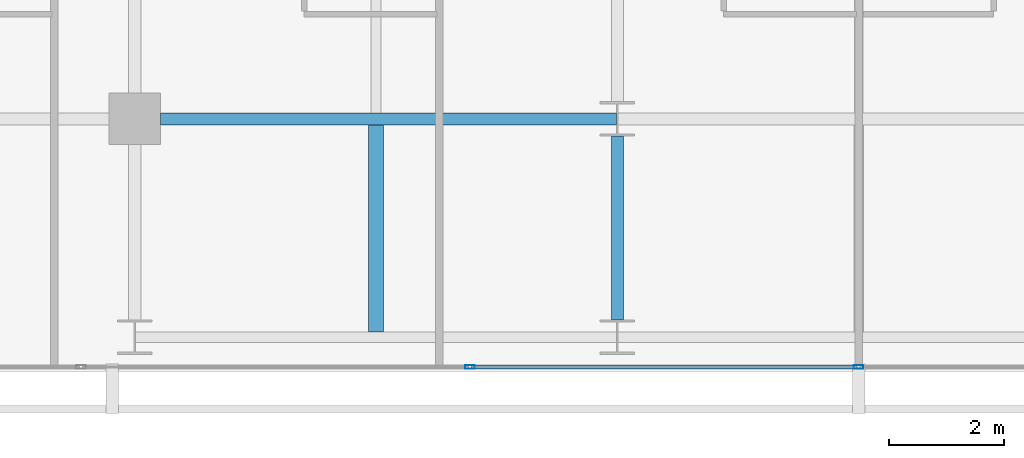
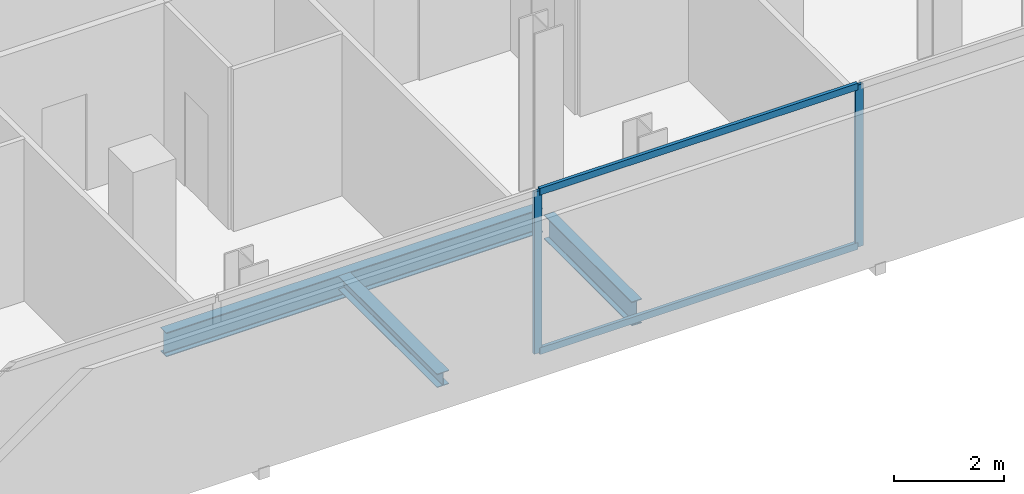
# One storey, part 6 of 33: 4 members, 3 beams, 1 element without a shape of its own.
"""IFC4 building model written with IfcOpenShell, lengths in metres."""

from ifc_helpers import new_model, si_unit, direction, frame, origin, origin_2d, place, context, subcontext, project, spatial, hollow_rectangle, i_section, extrude, material, layer, layer_set, material_profile, profile_set, type_object, element, aggregate, save


model = new_model("IFC4")

# Units and contexts
model_context = context("Model", 3, precision=1e-05, world=origin(), true_north=direction((0.0, 1.0)))
body_context = subcontext(model_context, "Body", "Model", "MODEL_VIEW")
ifc_project = project(units=[si_unit("LENGTHUNIT", "METRE"), si_unit("AREAUNIT", "SQUARE_METRE"), si_unit("VOLUMEUNIT", "CUBIC_METRE"), si_unit("PLANEANGLEUNIT", "RADIAN"), si_unit("MASSUNIT", "GRAM", prefix="KILO")], contexts=[model_context])

# Site, building, storey
site_placement = place(None, origin())
site = spatial("IfcSite", under=ifc_project, at=site_placement, CompositionType="ELEMENT")
building_placement = place(site_placement, origin())
building = spatial("IfcBuilding", under=site, at=building_placement, Name="Maruvema Waterfront Hotel and Observation Tower", CompositionType="ELEMENT")
storey_placement = place(building_placement, frame((0.0, 0.0, 196.699951171875)))
storey = spatial("IfcBuildingStorey", under=building, at=storey_placement, Name="L48", CompositionType="ELEMENT", Elevation=196.699951171875)

# Curtain wall, members
ifc_material_1 = material(Name="Anodised bronze aluminium and solar-control low-E IGU", Category="aluminium")
ifc_layer = layer(ifc_material_1, 0.159912109375, Name="Zone 2 Amber Inner Thermal Curtain Wall System CW-03")
ifc_layer_set = layer_set([ifc_layer], Name="Anodised bronze aluminium and solar-control low-E IGU")
curtain_wall_type = type_object("IfcCurtainWallType", Name="Zone 2 Amber Inner Thermal Curtain Wall System CW-03", PredefinedType="USERDEFINED", material=ifc_layer_set)
curtain_wall_placement = place(storey_placement, origin())
curtain_wall = element("IfcCurtainWall", 1, at=curtain_wall_placement, inside=storey, type_object=curtain_wall_type, Name="L48 Curtain Wall CW-L48-S", ObjectType="UNITISED CURTAIN WALL", PredefinedType="USERDEFINED")
ifc_material_2 = material(Name="Anodised architectural bronze aluminium", Category="aluminium")
ifc_material_profile_1 = material_profile(ifc_material_2, hollow_rectangle(XDim=0.070068359375, YDim=0.14990234375, WallThickness=0.00390625, at=origin_2d()), Name="ALU-T70x150")
ifc_profile_set_1 = profile_set([ifc_material_profile_1], Name="Anodised architectural bronze aluminium")
member_type_1 = type_object("IfcMemberType", Name="Curtain Wall Horizontal Transom ALU-T70x150", PredefinedType="USERDEFINED", material=ifc_profile_set_1)
member_1_placement = place(storey_placement, frame((31.063232421875, 4.679931640625, 0.030029296875), z_axis=(1.0, 0.0, 0.0), x_axis=(0.0, 1.0, 0.0)))
member_1 = element("IfcMember", 2, at=member_1_placement, type_object=member_type_1, Name="CW-03 transom 3.1", ObjectType="TRANSOM", PredefinedType="USERDEFINED", context=body_context, shape_type="SweptSolid", body=[
    extrude(hollow_rectangle(XDim=0.070068359375, YDim=0.14990234375, WallThickness=0.00390625, at=origin_2d()), origin(), (0.0, 0.0, 1.0), 6.706787109375),
])
member_2_placement = place(storey_placement, frame((31.063232421875, 4.679931640625, 3.580078125), z_axis=(1.0, 0.0, 0.0), x_axis=(0.0, 1.0, 0.0)))
member_2 = element("IfcMember", 3, at=member_2_placement, type_object=member_type_1, Name="CW-03 transom 3.2", ObjectType="TRANSOM", PredefinedType="USERDEFINED", context=body_context, shape_type="SweptSolid", body=[
    extrude(hollow_rectangle(XDim=0.070068359375, YDim=0.14990234375, WallThickness=0.00390625, at=origin_2d()), origin(), (0.0, 0.0, 1.0), 6.706787109375),
])
ifc_material_3 = material(Name="Anodised architectural bronze aluminium", Category="aluminium")
ifc_material_profile_2 = material_profile(ifc_material_3, hollow_rectangle(XDim=0.06494140625, YDim=0.1650390625, WallThickness=0.00390625, at=origin_2d()), Name="ALU-M65x165")
ifc_profile_set_2 = profile_set([ifc_material_profile_2], Name="Anodised architectural bronze aluminium")
member_type_2 = type_object("IfcMemberType", Name="Curtain Wall Primary Mullion ALU-M65x165", PredefinedType="MULLION", material=ifc_profile_set_2)
member_3_placement = place(storey_placement, frame((31.033447265625, 4.679931640625, 0.0), z_axis=(0.0, 0.0, 1.0), x_axis=(0.0, 1.0, 0.0)))
member_3 = element("IfcMember", 4, at=member_3_placement, type_object=member_type_2, Name="CW-03 mullion 3", PredefinedType="MULLION", context=body_context, shape_type="SweptSolid", body=[
    extrude(hollow_rectangle(XDim=0.06494140625, YDim=0.1650390625, WallThickness=0.00390625, at=origin_2d()), origin(), (0.0, 0.0, 1.0), 3.610107421875),
])
member_4_placement = place(storey_placement, frame((37.800048828125, 4.679931640625, 0.0), z_axis=(0.0, 0.0, 1.0), x_axis=(0.0, 1.0, 0.0)))
member_4 = element("IfcMember", 5, at=member_4_placement, type_object=member_type_2, Name="CW-03 mullion 4", PredefinedType="MULLION", context=body_context, shape_type="SweptSolid", body=[
    extrude(hollow_rectangle(XDim=0.06494140625, YDim=0.1650390625, WallThickness=0.00390625, at=origin_2d()), origin(), (0.0, 0.0, 1.0), 3.610107421875),
])
aggregate(curtain_wall, [member_3, member_4, member_1, member_2])

# Beams
ifc_material_4 = material(Name="Steel ASTM A572 Grade 50", Category="steel")
ifc_material_profile_3 = material_profile(ifc_material_4, i_section(OverallWidth=0.2109375, OverallDepth=0.5390625, WebThickness=0.01171875, FlangeThickness=0.018798828125, FilletRadius=0.014892578125, at=origin_2d()), Name="W530x109.0")
ifc_profile_set_3 = profile_set([ifc_material_profile_3], Name="Steel ASTM A572 Grade 50")
beam_type_1 = type_object("IfcBeamType", Name="Primary Floor Girder W530x109.0", PredefinedType="BEAM", material=ifc_profile_set_3)
beam_1_placement = place(storey_placement, frame((25.64990234375, 9.0, -0.509521484375), z_axis=(1.0, 0.0, 0.0), x_axis=(0.0, 1.0, 0.0)))
element("IfcBeam", 6, at=beam_1_placement, inside=storey, type_object=beam_type_1, Name="L48 Floor Girder EW-06", PredefinedType="BEAM", context=body_context, shape_type="SweptSolid", body=[
    extrude(i_section(OverallWidth=0.2109375, OverallDepth=0.5390625, WebThickness=0.01171875, FlangeThickness=0.018798828125, FilletRadius=0.014892578125, at=origin_2d()), origin(), (0.0, 0.0, 1.0), 7.9375),
])
beam_2_placement = place(storey_placement, frame((33.60009765625, 5.5, -0.509521484375), z_axis=(0.0, 1.0, 0.0), x_axis=(-1.0, 0.0, 0.0)))
element("IfcBeam", 7, at=beam_2_placement, inside=storey, type_object=beam_type_1, Name="L48 Floor Girder NS-14", PredefinedType="BEAM", context=body_context, shape_type="SweptSolid", body=[
    extrude(i_section(OverallWidth=0.2109375, OverallDepth=0.5390625, WebThickness=0.01171875, FlangeThickness=0.018798828125, FilletRadius=0.014892578125, at=origin_2d()), origin(), (0.0, 0.0, 1.0), 3.199951171875),
])
ifc_material_5 = material(Name="Steel ASTM A572 Grade 50", Category="steel")
ifc_material_profile_4 = material_profile(ifc_material_5, i_section(OverallWidth=0.25390625, OverallDepth=0.305908203125, WebThickness=0.0087890625, FlangeThickness=0.0146484375, FilletRadius=0.014892578125, at=origin_2d()), Name="W310x79.0")
ifc_profile_set_4 = profile_set([ifc_material_profile_4], Name="Steel ASTM A572 Grade 50")
beam_type_2 = type_object("IfcBeamType", Name="Secondary Floor Joist W310x79.0", PredefinedType="JOIST", material=ifc_profile_set_4)
beam_3_placement = place(storey_placement, frame((29.39990234375, 5.28955078125, -0.39306640625), z_axis=(0.0, 1.0, 0.0), x_axis=(-1.0, 0.0, 0.0)))
element("IfcBeam", 8, at=beam_3_placement, inside=storey, type_object=beam_type_2, Name="L48 Secondary Floor Joist JS-05", PredefinedType="JOIST", context=body_context, shape_type="SweptSolid", body=[
    extrude(i_section(OverallWidth=0.25390625, OverallDepth=0.305908203125, WebThickness=0.0087890625, FlangeThickness=0.0146484375, FilletRadius=0.014892578125, at=origin_2d()), origin(), (0.0, 0.0, 1.0), 3.60498046875),
])

save(model, "model.ifc")
